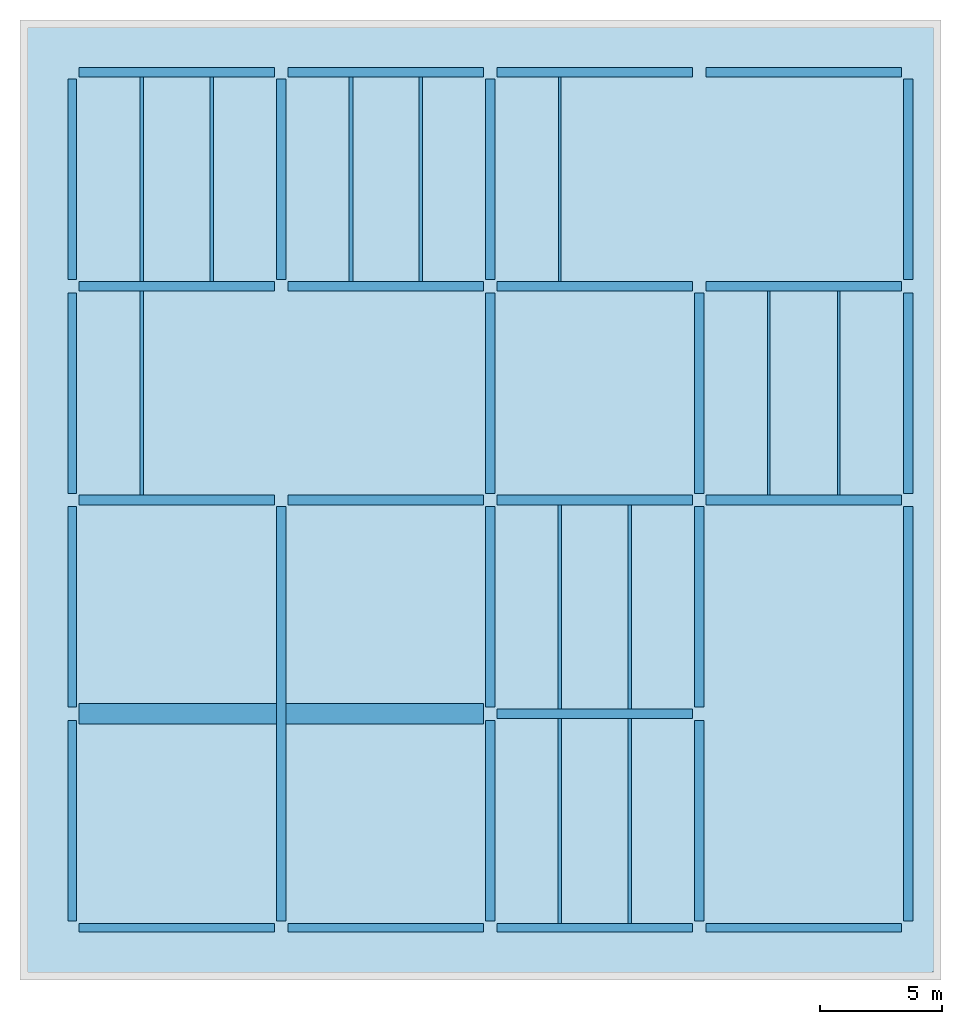
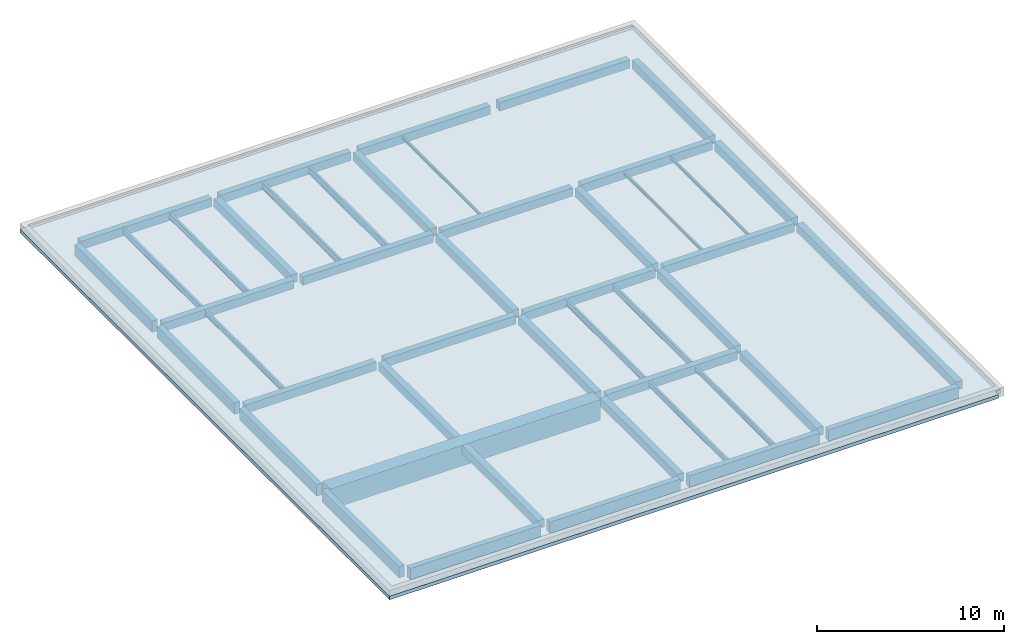
# One storey, part 1 of 2: 46 beams, 1 slab.
"""IFC4 building model written with IfcOpenShell, lengths in metres."""

from ifc_helpers import new_model, si_unit, direction, frame, origin, origin_2d, place, context, subcontext, project, spatial, polyline, rectangle, i_section, outline, extrude, material, layer, layer_set, material_profile, profile_set, type_object, element, save


model = new_model("IFC4")

# Units and contexts
model_context = context("Model", 3, precision=1e-05, world=origin(), true_north=direction((0.0, 1.0)))
body_context = subcontext(model_context, "Body", "Model", "MODEL_VIEW")
ifc_project = project(units=[si_unit("LENGTHUNIT", "METRE"), si_unit("AREAUNIT", "SQUARE_METRE"), si_unit("VOLUMEUNIT", "CUBIC_METRE"), si_unit("PLANEANGLEUNIT", "RADIAN"), si_unit("MASSUNIT", "GRAM", prefix="KILO")], contexts=[model_context])

# Site, building, storey
site_placement = place(None, origin())
site = spatial("IfcSite", under=ifc_project, at=site_placement, CompositionType="ELEMENT")
building_placement = place(site_placement, origin())
building = spatial("IfcBuilding", under=site, at=building_placement, Name="Varnakota Cinema and Media Centre", CompositionType="ELEMENT")
storey_placement = place(building_placement, frame((0.0, 0.0, 28.64990234375)))
storey = spatial("IfcBuildingStorey", under=building, at=storey_placement, Name="RF", CompositionType="ELEMENT", Elevation=28.64990234375)

# Beams
ifc_material_1 = material(Name="Concrete M35", Category="concrete")
ifc_material_profile_1 = material_profile(ifc_material_1, rectangle(XDim=0.39990234375, YDim=0.550048828125, at=origin_2d()), Name="RCB 400x550")
ifc_profile_set_1 = profile_set([ifc_material_profile_1], Name="Concrete M35")
beam_type_1 = type_object("IfcBeamType", Name="BM-RC-400x550", PredefinedType="BEAM", material=ifc_profile_set_1)
beam_1_placement = place(storey_placement, frame((17.47509765625, 8.800048828125, -0.514892578125), z_axis=(1.0, 0.0, 0.0), x_axis=(0.0, 1.0, 0.0)))
element("IfcBeam", 1, at=beam_1_placement, inside=storey, type_object=beam_type_1, Name="RF girder C-D/2", PredefinedType="BEAM", context=body_context, shape_type="SweptSolid", body=[
    extrude(rectangle(XDim=0.39990234375, YDim=0.550048828125, at=origin_2d()), origin(), (0.0, 0.0, 1.0), 8.0498046875),
])
for number, where, z_axis, x_axis, name in (
    (2, (0.27490234375, 17.60009765625, -0.514892578125), (1.0, 0.0, 0.0), (0.0, 1.0, 0.0), "RF girder A-B/3"),
    (3, (8.875, 17.60009765625, -0.514892578125), (1.0, 0.0, 0.0), (0.0, 1.0, 0.0), "RF girder B-C/3"),
):
    element("IfcBeam", number, at=place(storey_placement, frame(where, z_axis=z_axis, x_axis=x_axis)), inside=storey, type_object=beam_type_1, Name=name, PredefinedType="BEAM", context=body_context, shape_type="SweptSolid", body=[
        extrude(rectangle(XDim=0.39990234375, YDim=0.550048828125, at=origin_2d()), origin(), (0.0, 0.0, 1.0), 8.050048828125),
    ])
beam_2_placement = place(storey_placement, frame((17.47509765625, 17.60009765625, -0.514892578125), z_axis=(1.0, 0.0, 0.0), x_axis=(0.0, 1.0, 0.0)))
element("IfcBeam", 4, at=beam_2_placement, inside=storey, type_object=beam_type_1, Name="RF girder C-D/3", PredefinedType="BEAM", context=body_context, shape_type="SweptSolid", body=[
    extrude(rectangle(XDim=0.39990234375, YDim=0.550048828125, at=origin_2d()), origin(), (0.0, 0.0, 1.0), 8.0498046875),
])
for number, where, z_axis, x_axis, name in (
    (5, (26.074951171875, 17.60009765625, -0.514892578125), (1.0, 0.0, 0.0), (0.0, 1.0, 0.0), "RF girder D-E/3"),
    (6, (0.27490234375, 26.39990234375, -0.514892578125), (1.0, 0.0, 0.0), (0.0, 1.0, 0.0), "RF girder A-B/4"),
    (7, (8.875, 26.39990234375, -0.514892578125), (1.0, 0.0, 0.0), (0.0, 1.0, 0.0), "RF girder B-C/4"),
):
    element("IfcBeam", number, at=place(storey_placement, frame(where, z_axis=z_axis, x_axis=x_axis)), inside=storey, type_object=beam_type_1, Name=name, PredefinedType="BEAM", context=body_context, shape_type="SweptSolid", body=[
        extrude(rectangle(XDim=0.39990234375, YDim=0.550048828125, at=origin_2d()), origin(), (0.0, 0.0, 1.0), 8.050048828125),
    ])
beam_3_placement = place(storey_placement, frame((17.47509765625, 26.39990234375, -0.514892578125), z_axis=(1.0, 0.0, 0.0), x_axis=(0.0, 1.0, 0.0)))
element("IfcBeam", 8, at=beam_3_placement, inside=storey, type_object=beam_type_1, Name="RF girder C-D/4", PredefinedType="BEAM", context=body_context, shape_type="SweptSolid", body=[
    extrude(rectangle(XDim=0.39990234375, YDim=0.550048828125, at=origin_2d()), origin(), (0.0, 0.0, 1.0), 8.0498046875),
])
for number, where, z_axis, x_axis, name in (
    (9, (26.074951171875, 26.39990234375, -0.514892578125), (1.0, 0.0, 0.0), (0.0, 1.0, 0.0), "RF girder D-E/4"),
    (10, (0.27490234375, 35.199951171875, -0.514892578125), (1.0, 0.0, 0.0), (0.0, 1.0, 0.0), "RF girder A-B/5"),
    (11, (8.875, 35.199951171875, -0.514892578125), (1.0, 0.0, 0.0), (0.0, 1.0, 0.0), "RF girder B-C/5"),
):
    element("IfcBeam", number, at=place(storey_placement, frame(where, z_axis=z_axis, x_axis=x_axis)), inside=storey, type_object=beam_type_1, Name=name, PredefinedType="BEAM", context=body_context, shape_type="SweptSolid", body=[
        extrude(rectangle(XDim=0.39990234375, YDim=0.550048828125, at=origin_2d()), origin(), (0.0, 0.0, 1.0), 8.050048828125),
    ])
beam_4_placement = place(storey_placement, frame((17.47509765625, 35.199951171875, -0.514892578125), z_axis=(1.0, 0.0, 0.0), x_axis=(0.0, 1.0, 0.0)))
element("IfcBeam", 12, at=beam_4_placement, inside=storey, type_object=beam_type_1, Name="RF girder C-D/5", PredefinedType="BEAM", context=body_context, shape_type="SweptSolid", body=[
    extrude(rectangle(XDim=0.39990234375, YDim=0.550048828125, at=origin_2d()), origin(), (0.0, 0.0, 1.0), 8.0498046875),
])
beam_5_placement = place(storey_placement, frame((26.074951171875, 35.199951171875, -0.514892578125), z_axis=(1.0, 0.0, 0.0), x_axis=(0.0, 1.0, 0.0)))
element("IfcBeam", 13, at=beam_5_placement, inside=storey, type_object=beam_type_1, Name="RF girder D-E/5", PredefinedType="BEAM", context=body_context, shape_type="SweptSolid", body=[
    extrude(rectangle(XDim=0.39990234375, YDim=0.550048828125, at=origin_2d()), origin(), (0.0, 0.0, 1.0), 8.050048828125),
])
beam_6_placement = place(storey_placement, frame((8.60009765625, 0.27490234375, -0.514892578125), z_axis=(0.0, 1.0, 0.0), x_axis=(-1.0, 0.0, 0.0)))
element("IfcBeam", 14, at=beam_6_placement, inside=storey, type_object=beam_type_1, Name="RF girder B/1-3", PredefinedType="BEAM", context=body_context, shape_type="SweptSolid", body=[
    extrude(rectangle(XDim=0.39990234375, YDim=0.550048828125, at=origin_2d()), origin(), (0.0, 0.0, 1.0), 17.050048828125),
])
for number, where, z_axis, x_axis, name in (
    (15, (8.60009765625, 26.675048828125, -0.514892578125), (0.0, 1.0, 0.0), (-1.0, 0.0, 0.0), "RF girder B/4-5"),
    (16, (17.199951171875, 0.27490234375, -0.514892578125), (0.0, 1.0, 0.0), (-1.0, 0.0, 0.0), "RF girder C/1-2"),
    (17, (17.199951171875, 9.074951171875, -0.514892578125), (0.0, 1.0, 0.0), (-1.0, 0.0, 0.0), "RF girder C/2-3"),
    (18, (17.199951171875, 17.875, -0.514892578125), (0.0, 1.0, 0.0), (-1.0, 0.0, 0.0), "RF girder C/3-4"),
    (19, (17.199951171875, 26.675048828125, -0.514892578125), (0.0, 1.0, 0.0), (-1.0, 0.0, 0.0), "RF girder C/4-5"),
    (20, (25.800048828125, 0.27490234375, -0.514892578125), (0.0, 1.0, 0.0), (-1.0, 0.0, 0.0), "RF girder D/1-2"),
    (21, (25.800048828125, 9.074951171875, -0.514892578125), (0.0, 1.0, 0.0), (-1.0, 0.0, 0.0), "RF girder D/2-3"),
    (22, (25.800048828125, 17.875, -0.514892578125), (0.0, 1.0, 0.0), (-1.0, 0.0, 0.0), "RF girder D/3-4"),
):
    element("IfcBeam", number, at=place(storey_placement, frame(where, z_axis=z_axis, x_axis=x_axis)), inside=storey, type_object=beam_type_1, Name=name, PredefinedType="BEAM", context=body_context, shape_type="SweptSolid", body=[
        extrude(rectangle(XDim=0.39990234375, YDim=0.550048828125, at=origin_2d()), origin(), (0.0, 0.0, 1.0), 8.25),
    ])
beam_7_placement = place(storey_placement, frame((34.39990234375, 0.27490234375, -0.514892578125), z_axis=(0.0, 1.0, 0.0), x_axis=(-1.0, 0.0, 0.0)))
element("IfcBeam", 23, at=beam_7_placement, inside=storey, type_object=beam_type_1, Name="RF girder E/1-3", PredefinedType="BEAM", context=body_context, shape_type="SweptSolid", body=[
    extrude(rectangle(XDim=0.39990234375, YDim=0.550048828125, at=origin_2d()), origin(), (0.0, 0.0, 1.0), 17.050048828125),
])
for number, where, z_axis, x_axis, name in (
    (24, (34.39990234375, 17.875, -0.514892578125), (0.0, 1.0, 0.0), (-1.0, 0.0, 0.0), "RF girder E/3-4"),
    (25, (34.39990234375, 26.675048828125, -0.514892578125), (0.0, 1.0, 0.0), (-1.0, 0.0, 0.0), "RF girder E/4-5"),
):
    element("IfcBeam", number, at=place(storey_placement, frame(where, z_axis=z_axis, x_axis=x_axis)), inside=storey, type_object=beam_type_1, Name=name, PredefinedType="BEAM", context=body_context, shape_type="SweptSolid", body=[
        extrude(rectangle(XDim=0.39990234375, YDim=0.550048828125, at=origin_2d()), origin(), (0.0, 0.0, 1.0), 8.25),
    ])
ifc_material_2 = material(Name="Concrete M40", Category="concrete")
ifc_material_profile_2 = material_profile(ifc_material_2, rectangle(XDim=0.35009765625, YDim=0.75, at=origin_2d()), Name="RCB 350x750")
ifc_profile_set_2 = profile_set([ifc_material_profile_2], Name="Concrete M40")
beam_type_2 = type_object("IfcBeamType", Name="BM-SP-350x750", PredefinedType="SPANDREL", material=ifc_profile_set_2)
for number, where, z_axis, x_axis, name in (
    (26, (0.27490234375, 0.0, -0.614990234375), (1.0, 0.0, 0.0), (0.0, 1.0, 0.0), "RF girder A-B/1"),
    (27, (8.875, 0.0, -0.614990234375), (1.0, 0.0, 0.0), (0.0, 1.0, 0.0), "RF girder B-C/1"),
):
    element("IfcBeam", number, at=place(storey_placement, frame(where, z_axis=z_axis, x_axis=x_axis)), inside=storey, type_object=beam_type_2, Name=name, PredefinedType="SPANDREL", context=body_context, shape_type="SweptSolid", body=[
        extrude(rectangle(XDim=0.35009765625, YDim=0.75, at=origin_2d()), origin(), (0.0, 0.0, 1.0), 8.050048828125),
    ])
beam_8_placement = place(storey_placement, frame((17.47509765625, 0.0, -0.614990234375), z_axis=(1.0, 0.0, 0.0), x_axis=(0.0, 1.0, 0.0)))
element("IfcBeam", 28, at=beam_8_placement, inside=storey, type_object=beam_type_2, Name="RF girder C-D/1", PredefinedType="SPANDREL", context=body_context, shape_type="SweptSolid", body=[
    extrude(rectangle(XDim=0.35009765625, YDim=0.75, at=origin_2d()), origin(), (0.0, 0.0, 1.0), 8.0498046875),
])
beam_9_placement = place(storey_placement, frame((26.074951171875, 0.0, -0.614990234375), z_axis=(1.0, 0.0, 0.0), x_axis=(0.0, 1.0, 0.0)))
element("IfcBeam", 29, at=beam_9_placement, inside=storey, type_object=beam_type_2, Name="RF girder D-E/1", PredefinedType="SPANDREL", context=body_context, shape_type="SweptSolid", body=[
    extrude(rectangle(XDim=0.35009765625, YDim=0.75, at=origin_2d()), origin(), (0.0, 0.0, 1.0), 8.050048828125),
])
for number, where, z_axis, x_axis, name in (
    (30, (0.0, 0.27490234375, -0.614990234375), (0.0, 1.0, 0.0), (-1.0, 0.0, 0.0), "RF girder A/1-2"),
    (31, (0.0, 9.074951171875, -0.614990234375), (0.0, 1.0, 0.0), (-1.0, 0.0, 0.0), "RF girder A/2-3"),
    (32, (0.0, 17.875, -0.614990234375), (0.0, 1.0, 0.0), (-1.0, 0.0, 0.0), "RF girder A/3-4"),
    (33, (0.0, 26.675048828125, -0.614990234375), (0.0, 1.0, 0.0), (-1.0, 0.0, 0.0), "RF girder A/4-5"),
):
    element("IfcBeam", number, at=place(storey_placement, frame(where, z_axis=z_axis, x_axis=x_axis)), inside=storey, type_object=beam_type_2, Name=name, PredefinedType="SPANDREL", context=body_context, shape_type="SweptSolid", body=[
        extrude(rectangle(XDim=0.35009765625, YDim=0.75, at=origin_2d()), origin(), (0.0, 0.0, 1.0), 8.25),
    ])
ifc_material_3 = material(Name="Structural steel Grade 350 (E350)", Category="steel")
ifc_material_profile_3 = material_profile(ifc_material_3, i_section(OverallWidth=0.10009765625, OverallDepth=0.199951171875, WebThickness=0.005615234375, FlangeThickness=0.0107421875, FilletRadius=0.010986328125, at=origin_2d()), Name="ISMB 200")
ifc_profile_set_3 = profile_set([ifc_material_profile_3], Name="Structural steel Grade 350 (E350)")
beam_type_3 = type_object("IfcBeamType", Name="BM-ST-ISMB200", PredefinedType="JOIST", material=ifc_profile_set_3)
for number, where, z_axis, x_axis, name in (
    (34, (20.066650390625, 26.60009765625, -0.33984375), (0.0, 1.0, 0.0), (-1.0, 0.0, 0.0), "RF steel joist C-D/4-5 #1"),
    (35, (28.666748046875, 17.800048828125, -0.33984375), (0.0, 1.0, 0.0), (-1.0, 0.0, 0.0), "RF steel joist D-E/3-4 #1"),
    (36, (31.533203125, 17.800048828125, -0.33984375), (0.0, 1.0, 0.0), (-1.0, 0.0, 0.0), "RF steel joist D-E/3-4 #2"),
):
    element("IfcBeam", number, at=place(storey_placement, frame(where, z_axis=z_axis, x_axis=x_axis)), inside=storey, type_object=beam_type_3, Name=name, PredefinedType="JOIST", context=body_context, shape_type="SweptSolid", body=[
        extrude(i_section(OverallWidth=0.10009765625, OverallDepth=0.199951171875, WebThickness=0.005615234375, FlangeThickness=0.0107421875, FilletRadius=0.010986328125, at=origin_2d()), origin(), (0.0, 0.0, 1.0), 8.39990234375),
    ])
ifc_material_4 = material(Name="Structural steel Grade 350 (E350)", Category="steel")
ifc_material_profile_4 = material_profile(ifc_material_4, i_section(OverallWidth=0.139892578125, OverallDepth=0.35009765625, WebThickness=0.008056640625, FlangeThickness=0.01416015625, FilletRadius=0.013916015625, at=origin_2d()), Name="ISMB 350")
ifc_profile_set_4 = profile_set([ifc_material_profile_4], Name="Structural steel Grade 350 (E350)")
beam_type_4 = type_object("IfcBeamType", Name="BM-ST-ISMB350", PredefinedType="JOIST", material=ifc_profile_set_4)
beam_10_placement = place(storey_placement, frame((2.86669921875, 17.800048828125, -0.414794921875), z_axis=(0.0, 1.0, 0.0), x_axis=(-1.0, 0.0, 0.0)))
element("IfcBeam", 37, at=beam_10_placement, inside=storey, type_object=beam_type_4, Name="RF steel joist A-B/3-4 #1", PredefinedType="JOIST", context=body_context, shape_type="SweptSolid", body=[
    extrude(i_section(OverallWidth=0.139892578125, OverallDepth=0.35009765625, WebThickness=0.008056640625, FlangeThickness=0.01416015625, FilletRadius=0.013916015625, at=origin_2d()), origin(), (0.0, 0.0, 1.0), 8.39990234375),
])
for number, where, z_axis, x_axis, name in (
    (38, (20.066650390625, 0.175048828125, -0.414794921875), (0.0, 1.0, 0.0), (-1.0, 0.0, 0.0), "RF steel joist C-D/1-2 #1"),
    (39, (22.933349609375, 0.175048828125, -0.414794921875), (0.0, 1.0, 0.0), (-1.0, 0.0, 0.0), "RF steel joist C-D/1-2 #2"),
):
    element("IfcBeam", number, at=place(storey_placement, frame(where, z_axis=z_axis, x_axis=x_axis)), inside=storey, type_object=beam_type_4, Name=name, PredefinedType="JOIST", context=body_context, shape_type="SweptSolid", body=[
        extrude(i_section(OverallWidth=0.139892578125, OverallDepth=0.35009765625, WebThickness=0.008056640625, FlangeThickness=0.01416015625, FilletRadius=0.013916015625, at=origin_2d()), origin(), (0.0, 0.0, 1.0), 8.425048828125),
    ])
ifc_material_5 = material(Name="Structural steel Grade 350 (E350)", Category="steel")
ifc_material_profile_5 = material_profile(ifc_material_5, i_section(OverallWidth=0.139892578125, OverallDepth=0.39990234375, WebThickness=0.0087890625, FlangeThickness=0.01611328125, FilletRadius=0.013916015625, at=origin_2d()), Name="ISMB 400")
ifc_profile_set_5 = profile_set([ifc_material_profile_5], Name="Structural steel Grade 350 (E350)")
beam_type_5 = type_object("IfcBeamType", Name="BM-ST-ISMB400", PredefinedType="JOIST", material=ifc_profile_set_5)
for number, where, z_axis, x_axis, name in (
    (40, (2.86669921875, 26.60009765625, -0.43994140625), (0.0, 1.0, 0.0), (-1.0, 0.0, 0.0), "RF steel joist A-B/4-5 #1"),
    (41, (5.7333984375, 26.60009765625, -0.43994140625), (0.0, 1.0, 0.0), (-1.0, 0.0, 0.0), "RF steel joist A-B/4-5 #2"),
    (42, (20.066650390625, 9.0, -0.43994140625), (0.0, 1.0, 0.0), (-1.0, 0.0, 0.0), "RF steel joist C-D/2-3 #1"),
    (43, (22.933349609375, 9.0, -0.43994140625), (0.0, 1.0, 0.0), (-1.0, 0.0, 0.0), "RF steel joist C-D/2-3 #2"),
):
    element("IfcBeam", number, at=place(storey_placement, frame(where, z_axis=z_axis, x_axis=x_axis)), inside=storey, type_object=beam_type_5, Name=name, PredefinedType="JOIST", context=body_context, shape_type="SweptSolid", body=[
        extrude(i_section(OverallWidth=0.139892578125, OverallDepth=0.39990234375, WebThickness=0.0087890625, FlangeThickness=0.01611328125, FilletRadius=0.013916015625, at=origin_2d()), origin(), (0.0, 0.0, 1.0), 8.39990234375),
    ])
ifc_material_6 = material(Name="Structural steel Grade 350 (E350)", Category="steel")
ifc_material_profile_6 = material_profile(ifc_material_6, i_section(OverallWidth=0.14990234375, OverallDepth=0.449951171875, WebThickness=0.009521484375, FlangeThickness=0.017333984375, FilletRadius=0.014892578125, at=origin_2d()), Name="ISMB 450")
ifc_profile_set_6 = profile_set([ifc_material_profile_6], Name="Structural steel Grade 350 (E350)")
beam_type_6 = type_object("IfcBeamType", Name="BM-ST-ISMB450", PredefinedType="BEAM", material=ifc_profile_set_6)
for number, where, z_axis, x_axis, name in (
    (44, (11.466796875, 26.60009765625, -0.46484375), (0.0, 1.0, 0.0), (-1.0, 0.0, 0.0), "RF steel joist B-C/4-5 #1"),
    (45, (14.333251953125, 26.60009765625, -0.46484375), (0.0, 1.0, 0.0), (-1.0, 0.0, 0.0), "RF steel joist B-C/4-5 #2"),
):
    element("IfcBeam", number, at=place(storey_placement, frame(where, z_axis=z_axis, x_axis=x_axis)), inside=storey, type_object=beam_type_6, Name=name, PredefinedType="BEAM", context=body_context, shape_type="SweptSolid", body=[
        extrude(i_section(OverallWidth=0.14990234375, OverallDepth=0.449951171875, WebThickness=0.009521484375, FlangeThickness=0.017333984375, FilletRadius=0.014892578125, at=origin_2d()), origin(), (0.0, 0.0, 1.0), 8.39990234375),
    ])
ifc_material_7 = material(Name="Concrete M50", Category="concrete")
ifc_material_profile_7 = material_profile(ifc_material_7, rectangle(XDim=0.85009765625, YDim=1.35009765625, at=origin_2d()), Name="RCB 850x1350")
ifc_profile_set_7 = profile_set([ifc_material_profile_7], Name="Concrete M50")
beam_type_7 = type_object("IfcBeamType", Name="BM-TG-850x1350", PredefinedType="BEAM", material=ifc_profile_set_7)
beam_11_placement = place(storey_placement, frame((0.27490234375, 8.800048828125, -0.914794921875), z_axis=(1.0, 0.0, 0.0), x_axis=(0.0, 1.0, 0.0)))
element("IfcBeam", 46, at=beam_11_placement, inside=storey, type_object=beam_type_7, Name="RF girder A-C/2", PredefinedType="BEAM", context=body_context, shape_type="SweptSolid", body=[
    extrude(rectangle(XDim=0.85009765625, YDim=1.35009765625, at=origin_2d()), origin(), (0.0, 0.0, 1.0), 16.650146484375),
])

# Slab
ifc_material_8 = material(Name="Concrete M35", Category="concrete")
ifc_layer = layer(ifc_material_8, 0.239990234375)
ifc_layer_set = layer_set([ifc_layer], Name="Concrete M35")
slab_type = type_object("IfcSlabType", Name="SLB-ROOF-240", PredefinedType="ROOF", material=ifc_layer_set)
slab_placement = place(storey_placement, frame((0.0, 0.0, -0.239990234375)))
element("IfcSlab", 47, at=slab_placement, inside=storey, type_object=slab_type, Name="RF overhanging cool roof ROOF-V4-TOP", PredefinedType="ROOF", context=body_context, shape_type="SweptSolid", body=[
    extrude(outline(polyline([(-2.14990234375, -2.14990234375), (35.39990234375, -2.14990234375), (35.39990234375, -1.800048828125), (35.75, -1.800048828125), (35.75, 37.35009765625), (-2.14990234375, 37.35009765625), (-2.14990234375, -2.14990234375)])), origin(), (0.0, 0.0, 1.0), 0.239990234375),
])

save(model, "model.ifc")
